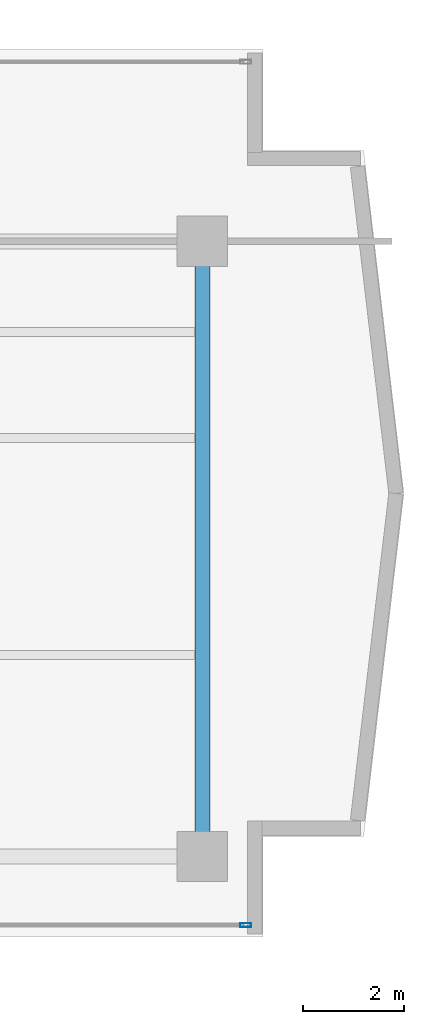
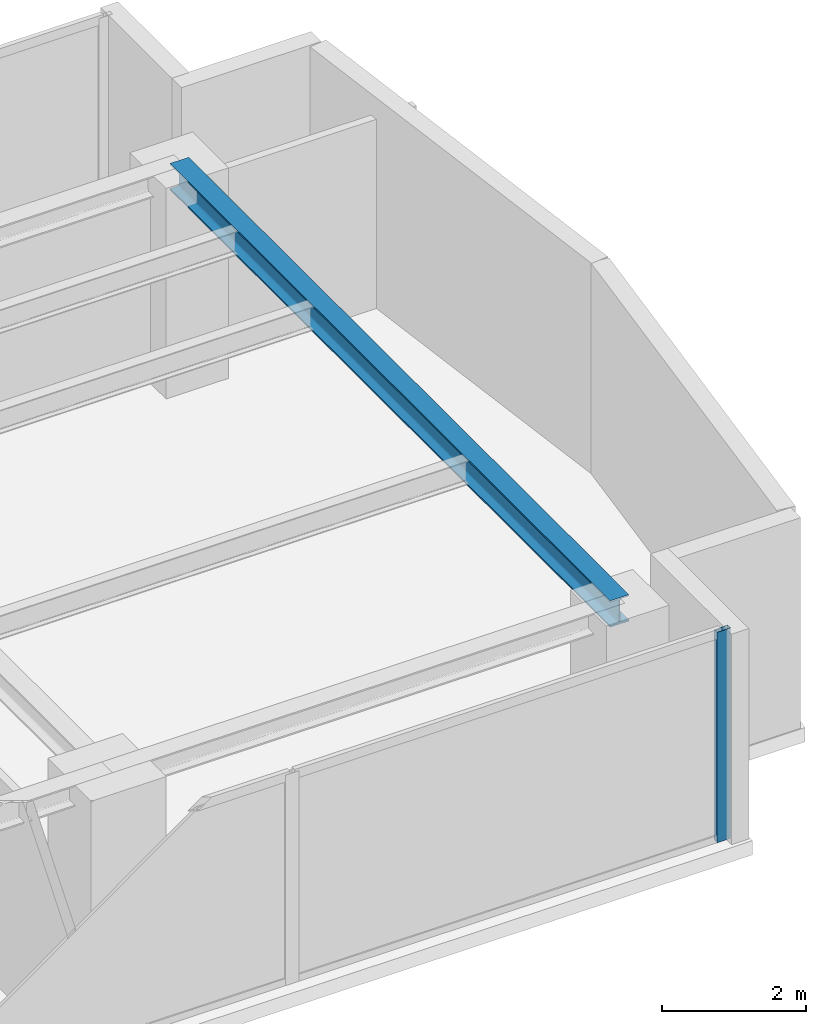
# One storey, part 12 of 26: 1 beam, 1 member, 1 element without a shape of its own.
"""IFC4 building model written with IfcOpenShell, lengths in metres."""

from ifc_helpers import new_model, si_unit, direction, frame, origin, origin_with_axes, origin_2d, place, context, subcontext, project, spatial, hollow_rectangle, i_section, extrude, source, transform, mapped, material, layer, layer_set, material_profile, profile_set, type_object, element, aggregate, save


model = new_model("IFC4")

# Units and contexts
model_context = context("Model", 3, precision=1e-05, world=origin(), true_north=direction((0.0, 1.0)))
body_context = subcontext(model_context, "Body", "Model", "MODEL_VIEW")
ifc_project = project(units=[si_unit("LENGTHUNIT", "METRE"), si_unit("AREAUNIT", "SQUARE_METRE"), si_unit("VOLUMEUNIT", "CUBIC_METRE"), si_unit("PLANEANGLEUNIT", "RADIAN"), si_unit("MASSUNIT", "GRAM", prefix="KILO")], contexts=[model_context])

# Site, building, storey
site_placement = place(None, origin())
site = spatial("IfcSite", under=ifc_project, at=site_placement, CompositionType="ELEMENT")
building_placement = place(site_placement, origin())
building = spatial("IfcBuilding", under=site, at=building_placement, Name="Kolvaren Waterfront Exchange", CompositionType="ELEMENT")
storey_placement = place(building_placement, frame((0.0, 0.0, 165.199951171875)))
storey = spatial("IfcBuildingStorey", under=building, at=storey_placement, Name="L42", CompositionType="ELEMENT", Elevation=165.199951171875)

# Beam
ifc_material_1 = material(Name="Steel S355", Category="steel")
ifc_material_profile_1 = material_profile(ifc_material_1, i_section(OverallWidth=0.300048828125, OverallDepth=0.449951171875, WebThickness=0.013916015625, FlangeThickness=0.02587890625, FilletRadius=0.027099609375, at=origin_2d()), Name="HEB450")
ifc_profile_set_1 = profile_set([ifc_material_profile_1], Name="Steel S355")
beam_type = type_object("IfcBeamType", Name="STR-BM-HEB450", PredefinedType="BEAM", material=ifc_profile_set_1)
beam_placement = place(storey_placement, frame((53.800048828125, 5.199951171875, 3.3349609375), z_axis=(0.0, 1.0, 0.0), x_axis=(-1.0, 0.0, 0.0)))
element("IfcBeam", 1, at=beam_placement, inside=storey, type_object=beam_type, Name="L42 east-arm transverse girder X53", PredefinedType="BEAM", context=body_context, shape_type="SweptSolid", body=[
    extrude(i_section(OverallWidth=0.300048828125, OverallDepth=0.449951171875, WebThickness=0.013916015625, FlangeThickness=0.02587890625, FilletRadius=0.027099609375, at=origin_2d()), origin(), (0.0, 0.0, 1.0), 12.199951171875),
])

# Curtain wall, member
ifc_material_2 = material(Name="Anodised bronze aluminium 6063-T6", Category="aluminium")
ifc_layer = layer(ifc_material_2, 0.219970703125, Name="Anodised bronze aluminium 6063-T6")
ifc_layer_set = layer_set([ifc_layer], Name="Anodised bronze aluminium 6063-T6")
curtain_wall_type = type_object("IfcCurtainWallType", Name="ARC-CW-SYS1", PredefinedType="USERDEFINED", material=ifc_layer_set)
curtain_wall_placement = place(storey_placement, origin())
curtain_wall = element("IfcCurtainWall", 2, at=curtain_wall_placement, inside=storey, type_object=curtain_wall_type, Name="L42 stick curtain wall CW1 (CW-L42-S)", ObjectType="STICK CURTAIN WALL", PredefinedType="USERDEFINED")
ifc_material_3 = material(Name="Anodised aluminium 6063-T6", Category="aluminium")
ifc_material_profile_2 = material_profile(ifc_material_3, hollow_rectangle(XDim=0.080078125, YDim=0.219970703125, WallThickness=0.0048828125, at=origin_2d()), Name="ALU-MUL-220x80x5")
ifc_profile_set_2 = profile_set([ifc_material_profile_2], Name="Anodised aluminium 6063-T6")
member_type = type_object("IfcMemberType", Name="ARC-CWM-220", PredefinedType="MULLION", material=ifc_profile_set_2)
shared_shape = source(origin_with_axes(), body_context, "Body", "SweptSolid", [
    extrude(hollow_rectangle(XDim=0.080078125, YDim=0.219970703125, WallThickness=0.0048828125, at=origin_2d()), origin(), (0.0, 0.0, 1.0), 3.56005859375),
])
member_placement = place(storey_placement, frame((54.659912109375, 3.840087890625, 0.0), z_axis=(0.0, 0.0, 1.0), x_axis=(0.0, 1.0, 0.0)))
member = element("IfcMember", 3, at=member_placement, type_object=member_type, Name="CW1 mullion 8", PredefinedType="MULLION", context=body_context, shape_type="MappedRepresentation", body=[
    mapped(shared_shape, transform((0.0, 0.0, 0.0), x_axis=(1.0, 0.0, 0.0), y_axis=(0.0, 1.0, 0.0), z_axis=(0.0, 0.0, 1.0), scale=1.0)),
])
aggregate(curtain_wall, [member])

save(model, "model.ifc")
